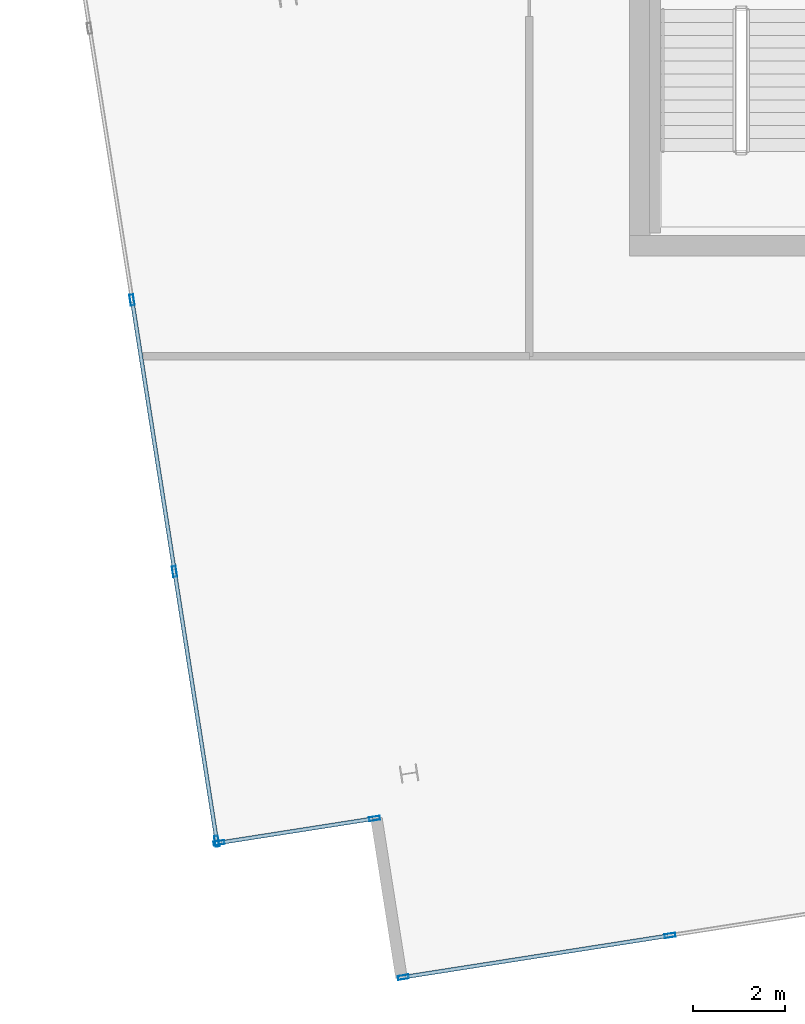
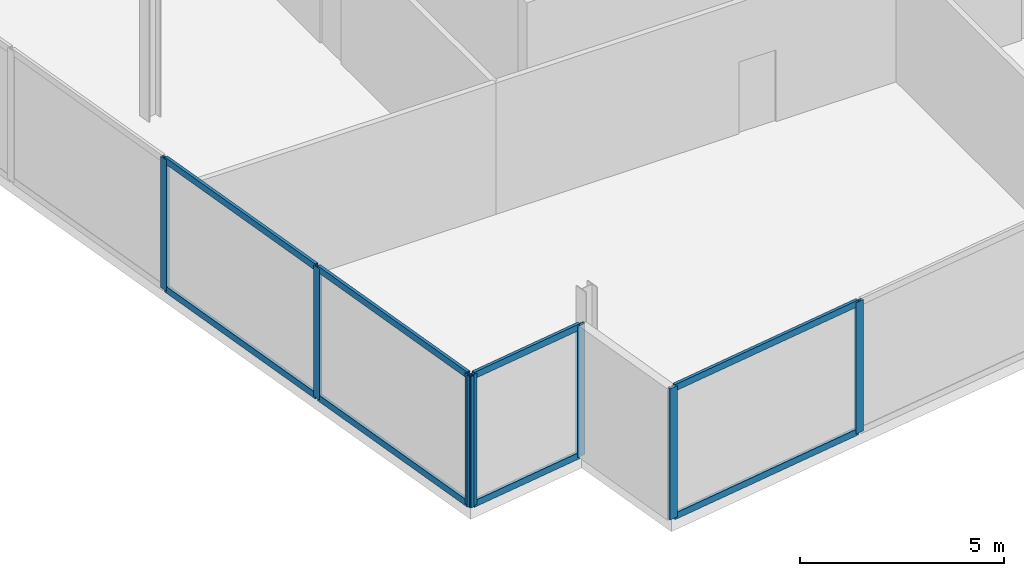
# One storey, part 2 of 13: 15 members, 3 elements without a shape of their own.
"""IFC4 building model written with IfcOpenShell, lengths in metres."""

import ifcopenshell
import ifcopenshell.guid

model = None  # the IFC model being written
_history = None  # IfcOwnerHistory: only IFC2X3 demands one
_inside = {}  # id of a spatial element -> (the spatial element, [elements in it])
_under = {}  # id of a project, library or spatial element -> (it, [spatial elements below it])
_declared = {}  # id of a project -> (the project, [libraries it declares])
_typed = {}  # id of a type object -> (the type object, [elements of that type])
_made_of = {}  # id of a material, layer set ... -> (it, [elements and type objects made of it])


def new_model(schema):
    """Start an empty IFC model of exactly this schema.

    Asked for "IFC4X3", IfcOpenShell would pick the latest addendum, in which some entities
    have other attributes; the version numbers below select the first issue.
    IFC2X3 requires an IfcOwnerHistory on every rooted entity: one is made here for all.
    """
    global model, _history
    if schema == "IFC4X3":
        model = ifcopenshell.file(schema_version=(4, 3, 0, 0))
    else:
        model = ifcopenshell.file(schema=schema)
    _inside.clear()
    _under.clear()
    _declared.clear()
    _typed.clear()
    _made_of.clear()
    _history = None
    if model.schema == "IFC2X3":
        org = make("IfcOrganization", Name="unknown")
        user = make(
            "IfcPersonAndOrganization",
            ThePerson=make("IfcPerson", FamilyName="unknown"),
            TheOrganization=org,
        )
        app = make(
            "IfcApplication",
            ApplicationDeveloper=org,
            Version="unknown",
            ApplicationFullName="unknown",
            ApplicationIdentifier="unknown",
        )
        _history = make(
            "IfcOwnerHistory",
            OwningUser=user,
            OwningApplication=app,
            ChangeAction="ADDED",
            CreationDate=0,
        )
    return model


def make(cls, **values):
    """One entity of the class cls with the attributes given. An attribute that is None is left unset."""
    return model.create_entity(
        cls, **{name: value for name, value in values.items() if value is not None}
    )


def rooted(cls, **values):
    """An entity with a GlobalId (a new one), such as an element, a storey or a relation."""
    return make(cls, GlobalId=ifcopenshell.guid.new(), OwnerHistory=_history, **values)


def si_unit(unit_type, name, prefix=None):
    """IfcSIUnit, for example si_unit("LENGTHUNIT", "METRE", prefix="MILLI")."""
    return make("IfcSIUnit", UnitType=unit_type, Prefix=prefix, Name=name)


def assignment(units):
    """IfcUnitAssignment: the units of a project."""
    return None if units is None else make("IfcUnitAssignment", Units=units)


def point(xyz):
    """IfcCartesianPoint."""
    return None if xyz is None else make("IfcCartesianPoint", Coordinates=xyz)


def direction(xyz):
    """IfcDirection."""
    return None if xyz is None else make("IfcDirection", DirectionRatios=xyz)


def frame(location, z_axis=None, x_axis=None):
    """IfcAxis2Placement3D, a coordinate frame: its origin and axes. An axis left out is left unset."""
    return make(
        "IfcAxis2Placement3D",
        Location=point(location),
        Axis=direction(z_axis),
        RefDirection=direction(x_axis),
    )


def frame_2d(location, x_axis=None):
    """IfcAxis2Placement2D, a coordinate frame in the plane: its origin and x axis."""
    return make(
        "IfcAxis2Placement2D", Location=point(location), RefDirection=direction(x_axis)
    )


def origin():
    """The frame at (0, 0, 0) with its axes left unset."""
    return frame((0.0, 0.0, 0.0))


def origin_2d():
    """The frame at (0, 0) in the plane with its x axis left unset."""
    return frame_2d((0.0, 0.0))


def place(relative_to, where):
    """IfcLocalPlacement: puts the frame where relative to a parent placement (None: the world)."""
    return make(
        "IfcLocalPlacement", PlacementRelTo=relative_to, RelativePlacement=where
    )


def context(
    kind, dimensions, precision=None, world=None, true_north=None, identifier=None
):
    """IfcGeometricRepresentationContext, for example the 3D "Model" context."""
    return make(
        "IfcGeometricRepresentationContext",
        ContextIdentifier=identifier,
        ContextType=kind,
        CoordinateSpaceDimension=dimensions,
        Precision=precision,
        WorldCoordinateSystem=world,
        TrueNorth=true_north,
    )


def subcontext(parent, identifier, kind, view, scale=None):
    """IfcGeometricRepresentationSubContext, for example "Body" below "Model"."""
    return make(
        "IfcGeometricRepresentationSubContext",
        ContextIdentifier=identifier,
        ContextType=kind,
        ParentContext=parent,
        TargetScale=scale,
        TargetView=view,
    )


def project(units=None, contexts=None):
    """IfcProject with its units and contexts."""
    return rooted(
        "IfcProject",
        Name="project",
        RepresentationContexts=contexts,
        UnitsInContext=assignment(units),
    )


def spatial(cls, under=None, at=None, **own):
    """A site, building, storey or space (cls), placed at a placement, below another one or the project."""
    s = rooted(cls, ObjectPlacement=at, **own)
    if under is not None:
        _under.setdefault(under.id(), (under, []))[1].append(s)
    return s


def profile(cls, at=None, kind="AREA", **sizes):
    """A parametric profile (cls). Its sizes go by their IFC names, for example OverallWidth=200.0."""
    return make(cls, ProfileType=kind, Position=at, **sizes)


def hollow_rectangle(**sizes):
    """IfcRectangleHollowProfileDef."""
    return profile("IfcRectangleHollowProfileDef", **sizes)


def extrude(swept, where, along, depth):
    """IfcExtrudedAreaSolid: the profile swept, set in the frame where, extruded along a direction by depth."""
    return make(
        "IfcExtrudedAreaSolid",
        SweptArea=swept,
        Position=where,
        ExtrudedDirection=direction(along),
        Depth=depth,
    )


def shape(context_of_items, identifier, shape_type, items):
    """IfcShapeRepresentation: the items that make up one representation, for example the "Body"."""
    return make(
        "IfcShapeRepresentation",
        ContextOfItems=context_of_items,
        RepresentationIdentifier=identifier,
        RepresentationType=shape_type,
        Items=items,
    )


def material(Name=None, Category=None):
    """IfcMaterial."""
    return make("IfcMaterial", Name=Name, Category=Category)


def material_profile(
    of_material, cross_section, Name=None, Category=None, Priority=None
):
    """IfcMaterialProfile: a cross section and its material."""
    return make(
        "IfcMaterialProfile",
        Name=Name,
        Material=of_material,
        Profile=cross_section,
        Priority=Priority,
        Category=Category,
    )


def profile_set(profiles, Name=None, composite=None):
    """IfcMaterialProfileSet."""
    return make(
        "IfcMaterialProfileSet",
        Name=Name,
        MaterialProfiles=profiles,
        CompositeProfile=composite,
    )


def made_of(thing, what):
    """Note that an element or type object is made of a material, layer set ...; save() writes the relation."""
    if what is not None:
        _made_of.setdefault(what.id(), (what, []))[1].append(thing)
    return thing


def type_object(cls, material=None, **own):
    """A type object (cls), such as IfcWallType, which elements share."""
    return made_of(rooted(cls, **own), material)


def element(
    cls,
    number,
    at=None,
    inside=None,
    cuts=None,
    type_object=None,
    material=None,
    context=None,
    identifier="Body",
    shape_type=None,
    held_by="IfcProductDefinitionShape",
    body=None,
    shapes=None,
    **own,
):
    """One element of the class cls, such as IfcWall. Its Tag is "e" and its number.

    at: its placement. inside: the storey or other place that contains it. cuts: it is an
    opening in that element (IfcRelVoidsElement). A single representation is given by context,
    identifier, shape_type and body (its items); several are given by shapes. held_by: the class
    of the entity that holds the representations. save() writes the other relations.
    """
    e = rooted(cls, Tag="e%d" % number, ObjectPlacement=at, **own)
    if body is not None:
        shapes = [shape(context, identifier, shape_type, body)]
    if shapes is not None:
        e.Representation = make(held_by, Representations=shapes)
    if inside is not None:
        _inside.setdefault(inside.id(), (inside, []))[1].append(e)
    if cuts is not None:
        rooted(
            "IfcRelVoidsElement", RelatingBuildingElement=cuts, RelatedOpeningElement=e
        )
    if type_object is not None:
        _typed.setdefault(type_object.id(), (type_object, []))[1].append(e)
    return made_of(e, material)


def aggregate(whole, parts):
    """IfcRelAggregates: a whole, such as a stair, and the parts it consists of."""
    return rooted("IfcRelAggregates", RelatingObject=whole, RelatedObjects=parts)


def save(model, path):
    """Write the relations noted so far, then the file.

    IfcRelAggregates (storeys below a building ...), IfcRelContainedInSpatialStructure (elements
    in a storey), IfcRelDefinesByType, IfcRelAssociatesMaterial and IfcRelDeclares: one each for
    every whole, place, type object, material and project.
    """
    for whole, parts in _under.values():
        aggregate(whole, parts)
    for where, things in _inside.values():
        rooted(
            "IfcRelContainedInSpatialStructure",
            RelatedElements=things,
            RelatingStructure=where,
        )
    for kind, things in _typed.values():
        rooted("IfcRelDefinesByType", RelatedObjects=things, RelatingType=kind)
    for what, things in _made_of.values():
        rooted("IfcRelAssociatesMaterial", RelatedObjects=things, RelatingMaterial=what)
    for by, libraries in _declared.values():
        rooted("IfcRelDeclares", RelatingContext=by, RelatedDefinitions=libraries)
    model.write(path)


model = new_model("IFC4")

# Units and contexts
model_context = context("Model", 3, precision=1e-05, world=origin(), true_north=direction((0.0, 1.0)))
body_context = subcontext(model_context, "Body", "Model", "MODEL_VIEW")
ifc_project = project(units=[si_unit("LENGTHUNIT", "METRE"), si_unit("AREAUNIT", "SQUARE_METRE"), si_unit("VOLUMEUNIT", "CUBIC_METRE"), si_unit("PLANEANGLEUNIT", "RADIAN"), si_unit("MASSUNIT", "GRAM", prefix="KILO")], contexts=[model_context])

# Site, building, storey
site_placement = place(None, origin())
site = spatial("IfcSite", under=ifc_project, at=site_placement, CompositionType="ELEMENT")
building_placement = place(site_placement, origin())
building = spatial("IfcBuilding", under=site, at=building_placement, Name="Haldenkirk Collegiate Tower", CompositionType="ELEMENT")
storey_placement = place(building_placement, frame((0.0, 0.0, 356.39990234375)))
storey = spatial("IfcBuildingStorey", under=building, at=storey_placement, Name="L90", CompositionType="ELEMENT", Elevation=356.39990234375)

# Curtain wall, members
ifc_material = material(Name="Anodised architectural bronze aluminium", Category="aluminium")
curtain_wall_type = type_object("IfcCurtainWallType", Name="CW-SYS5-LANTERN", PredefinedType="USERDEFINED", material=ifc_material)
curtain_wall_1_placement = place(storey_placement, origin())
curtain_wall_1 = element("IfcCurtainWall", 1, at=curtain_wall_1_placement, inside=storey, type_object=curtain_wall_type, Name="L90 Level L90 glazed crown lantern curtain wall", ObjectType="UNITISED CURTAIN WALL", PredefinedType="USERDEFINED")
ifc_material_profile_1 = material_profile(ifc_material, hollow_rectangle(XDim=0.0849609375, YDim=0.235107421875, WallThickness=0.0048828125, at=origin_2d()), Name="CW-MUL-05")
ifc_profile_set_1 = profile_set([ifc_material_profile_1], Name="Anodised architectural bronze aluminium")
member_type_1 = type_object("IfcMemberType", Name="CW-MUL-05", PredefinedType="MULLION", material=ifc_profile_set_1)
member_1_placement = place(storey_placement, frame((17.818115234375, 5.07763671875, 0.0), z_axis=(0.0, 0.0, 1.0), x_axis=(-0.987959532462, -0.154712514742, 0.0)))
member_1 = element("IfcMember", 2, at=member_1_placement, type_object=member_type_1, Name="CW-05 mullion 1", PredefinedType="MULLION", context=body_context, shape_type="SweptSolid", body=[
    extrude(hollow_rectangle(XDim=0.0849609375, YDim=0.235107421875, WallThickness=0.0048828125, at=origin_2d()), origin(), (0.0, 0.0, 1.0), 3.93017578125),
])
member_2_placement = place(storey_placement, frame((16.9013671875, 10.930419921875, 0.0), z_axis=(0.0, 0.0, 1.0), x_axis=(-0.987959532462, -0.154712514742, 0.0)))
member_2 = element("IfcMember", 3, at=member_2_placement, type_object=member_type_1, Name="CW-05 mullion 2", PredefinedType="MULLION", context=body_context, shape_type="SweptSolid", body=[
    extrude(hollow_rectangle(XDim=0.0849609375, YDim=0.235107421875, WallThickness=0.0048828125, at=origin_2d()), origin(), (0.0, 0.0, 1.0), 3.93017578125),
])
member_3_placement = place(storey_placement, frame((15.978271484375, 16.825439453125, 0.0), z_axis=(0.0, 0.0, 1.0), x_axis=(-0.987959532462, -0.154712514742, 0.0)))
member_3 = element("IfcMember", 4, at=member_3_placement, type_object=member_type_1, Name="CW-05 mullion 3", PredefinedType="MULLION", context=body_context, shape_type="SweptSolid", body=[
    extrude(hollow_rectangle(XDim=0.0849609375, YDim=0.235107421875, WallThickness=0.0048828125, at=origin_2d()), origin(), (0.0, 0.0, 1.0), 3.93017578125),
])

curtain_wall_2_placement = place(storey_placement, origin())
curtain_wall_2 = element("IfcCurtainWall", 5, at=curtain_wall_2_placement, inside=storey, type_object=curtain_wall_type, Name="L90 Level L90 glazed crown lantern curtain wall", ObjectType="UNITISED CURTAIN WALL", PredefinedType="USERDEFINED")
member_4_placement = place(storey_placement, frame((21.240478515625, 5.570556640625, 0.0), z_axis=(0.0, 0.0, 1.0), x_axis=(0.154688904071, -0.987963229557, 0.0)))
member_4 = element("IfcMember", 6, at=member_4_placement, type_object=member_type_1, Name="CW-05 mullion 1", PredefinedType="MULLION", context=body_context, shape_type="SweptSolid", body=[
    extrude(hollow_rectangle(XDim=0.0849609375, YDim=0.235107421875, WallThickness=0.0048828125, at=origin_2d()), origin(), (0.0, 0.0, 1.0), 3.93017578125),
])
member_5_placement = place(storey_placement, frame((17.86669921875, 5.042236328125, 0.0), z_axis=(0.0, 0.0, 1.0), x_axis=(0.154688904071, -0.987963229557, 0.0)))
member_5 = element("IfcMember", 7, at=member_5_placement, type_object=member_type_1, Name="CW-05 mullion 2", PredefinedType="MULLION", context=body_context, shape_type="SweptSolid", body=[
    extrude(hollow_rectangle(XDim=0.0849609375, YDim=0.235107421875, WallThickness=0.0048828125, at=origin_2d()), origin(), (0.0, 0.0, 1.0), 3.93017578125),
])

curtain_wall_3_placement = place(storey_placement, origin())
curtain_wall_3 = element("IfcCurtainWall", 8, at=curtain_wall_3_placement, inside=storey, type_object=curtain_wall_type, Name="L90 Level L90 glazed crown lantern curtain wall", ObjectType="UNITISED CURTAIN WALL", PredefinedType="USERDEFINED")
member_6_placement = place(storey_placement, frame((27.65283203125, 3.031982421875, 0.0), z_axis=(0.0, 0.0, 1.0), x_axis=(0.154708982189, -0.987960085646, 0.0)))
member_6 = element("IfcMember", 9, at=member_6_placement, type_object=member_type_1, Name="CW-05 mullion 6", PredefinedType="MULLION", context=body_context, shape_type="SweptSolid", body=[
    extrude(hollow_rectangle(XDim=0.0849609375, YDim=0.235107421875, WallThickness=0.0048828125, at=origin_2d()), origin(), (0.0, 0.0, 1.0), 3.93017578125),
])
member_7_placement = place(storey_placement, frame((21.865966796875, 2.1259765625, 0.0), z_axis=(0.0, 0.0, 1.0), x_axis=(0.154708982189, -0.987960085646, 0.0)))
member_7 = element("IfcMember", 10, at=member_7_placement, type_object=member_type_1, Name="CW-05 mullion 7", PredefinedType="MULLION", context=body_context, shape_type="SweptSolid", body=[
    extrude(hollow_rectangle(XDim=0.0849609375, YDim=0.235107421875, WallThickness=0.0048828125, at=origin_2d()), origin(), (0.0, 0.0, 1.0), 3.93017578125),
])

# Member
ifc_material_profile_2 = material_profile(ifc_material, hollow_rectangle(XDim=0.0849609375, YDim=0.195068359375, WallThickness=0.0048828125, at=origin_2d()), Name="CW-TRN-05")
ifc_profile_set_2 = profile_set([ifc_material_profile_2], Name="Anodised architectural bronze aluminium")
member_type_2 = type_object("IfcMemberType", Name="CW-TRN-05", PredefinedType="USERDEFINED", material=ifc_profile_set_2)
member_8_placement = place(storey_placement, frame((17.8115234375, 5.11962890625, 0.04248046875), z_axis=(-0.154742926164, 0.987954769614, 0.0), x_axis=(-0.987954769614, -0.154742926164, 0.0)))
member_8 = element("IfcMember", 11, at=member_8_placement, type_object=member_type_2, Name="CW-05 transom 1.1", ObjectType="TRANSOM", PredefinedType="USERDEFINED", context=body_context, shape_type="SweptSolid", body=[
    extrude(hollow_rectangle(XDim=0.0849609375, YDim=0.195068359375, WallThickness=0.0048828125, at=origin_2d()), origin(), (0.0, 0.0, 1.0), 5.839111328125),
])

member_9_placement = place(storey_placement, frame((17.8115234375, 5.11962890625, 3.8876953125), z_axis=(-0.154742926164, 0.987954769614, 0.0), x_axis=(-0.987954769614, -0.154742926164, 0.0)))
member_9 = element("IfcMember", 12, at=member_9_placement, type_object=member_type_2, Name="CW-05 transom 1.2", ObjectType="TRANSOM", PredefinedType="USERDEFINED", context=body_context, shape_type="SweptSolid", body=[
    extrude(hollow_rectangle(XDim=0.0849609375, YDim=0.195068359375, WallThickness=0.0048828125, at=origin_2d()), origin(), (0.0, 0.0, 1.0), 5.839111328125),
])

member_10_placement = place(storey_placement, frame((16.89501953125, 10.972412109375, 0.04248046875), z_axis=(-0.154738999821, 0.987955384587, 0.0), x_axis=(-0.987955384587, -0.154738999821, 0.0)))
member_10 = element("IfcMember", 13, at=member_10_placement, type_object=member_type_2, Name="CW-05 transom 2.1", ObjectType="TRANSOM", PredefinedType="USERDEFINED", context=body_context, shape_type="SweptSolid", body=[
    extrude(hollow_rectangle(XDim=0.0849609375, YDim=0.195068359375, WallThickness=0.0048828125, at=origin_2d()), origin(), (0.0, 0.0, 1.0), 5.8818359375),
])

member_11_placement = place(storey_placement, frame((16.89501953125, 10.972412109375, 3.8876953125), z_axis=(-0.154738999821, 0.987955384587, 0.0), x_axis=(-0.987955384587, -0.154738999821, 0.0)))
member_11 = element("IfcMember", 14, at=member_11_placement, type_object=member_type_2, Name="CW-05 transom 2.2", ObjectType="TRANSOM", PredefinedType="USERDEFINED", context=body_context, shape_type="SweptSolid", body=[
    extrude(hollow_rectangle(XDim=0.0849609375, YDim=0.195068359375, WallThickness=0.0048828125, at=origin_2d()), origin(), (0.0, 0.0, 1.0), 5.8818359375),
])

aggregate(curtain_wall_1, [member_1, member_2, member_3, member_8, member_9, member_10, member_11])

member_12_placement = place(storey_placement, frame((21.198486328125, 5.56396484375, 0.04248046875), z_axis=(-0.987961307869, -0.154701176965, 0.0), x_axis=(0.154701176965, -0.987961307869, 0.0)))
member_12 = element("IfcMember", 15, at=member_12_placement, type_object=member_type_2, Name="CW-05 transom 1.1", ObjectType="TRANSOM", PredefinedType="USERDEFINED", context=body_context, shape_type="SweptSolid", body=[
    extrude(hollow_rectangle(XDim=0.0849609375, YDim=0.195068359375, WallThickness=0.0048828125, at=origin_2d()), origin(), (0.0, 0.0, 1.0), 3.329833984375),
])

member_13_placement = place(storey_placement, frame((21.198486328125, 5.56396484375, 3.8876953125), z_axis=(-0.987961307869, -0.154701176965, 0.0), x_axis=(0.154701176965, -0.987961307869, 0.0)))
member_13 = element("IfcMember", 16, at=member_13_placement, type_object=member_type_2, Name="CW-05 transom 1.2", ObjectType="TRANSOM", PredefinedType="USERDEFINED", context=body_context, shape_type="SweptSolid", body=[
    extrude(hollow_rectangle(XDim=0.0849609375, YDim=0.195068359375, WallThickness=0.0048828125, at=origin_2d()), origin(), (0.0, 0.0, 1.0), 3.329833984375),
])

aggregate(curtain_wall_2, [member_4, member_5, member_12, member_13])

member_14_placement = place(storey_placement, frame((27.61083984375, 3.025390625, 0.04248046875), z_axis=(-0.98796582406, -0.154672332659, 0.0), x_axis=(0.154672332659, -0.98796582406, 0.0)))
member_14 = element("IfcMember", 17, at=member_14_placement, type_object=member_type_2, Name="CW-05 transom 6.1", ObjectType="TRANSOM", PredefinedType="USERDEFINED", context=body_context, shape_type="SweptSolid", body=[
    extrude(hollow_rectangle(XDim=0.0849609375, YDim=0.195068359375, WallThickness=0.0048828125, at=origin_2d()), origin(), (0.0, 0.0, 1.0), 5.7724609375),
])

member_15_placement = place(storey_placement, frame((27.61083984375, 3.025390625, 3.8876953125), z_axis=(-0.98796582406, -0.154672332659, 0.0), x_axis=(0.154672332659, -0.98796582406, 0.0)))
member_15 = element("IfcMember", 18, at=member_15_placement, type_object=member_type_2, Name="CW-05 transom 6.2", ObjectType="TRANSOM", PredefinedType="USERDEFINED", context=body_context, shape_type="SweptSolid", body=[
    extrude(hollow_rectangle(XDim=0.0849609375, YDim=0.195068359375, WallThickness=0.0048828125, at=origin_2d()), origin(), (0.0, 0.0, 1.0), 5.7724609375),
])

aggregate(curtain_wall_3, [member_6, member_7, member_14, member_15])

save(model, "model.ifc")
